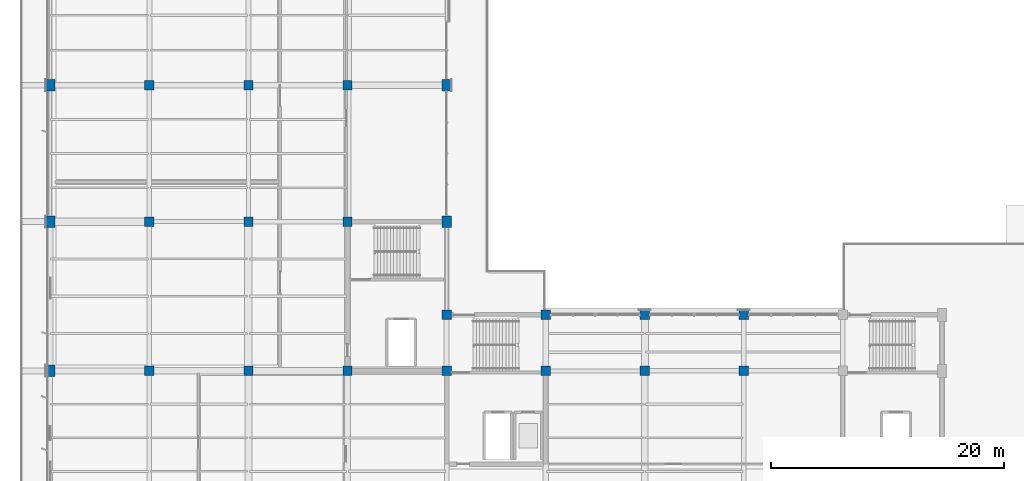
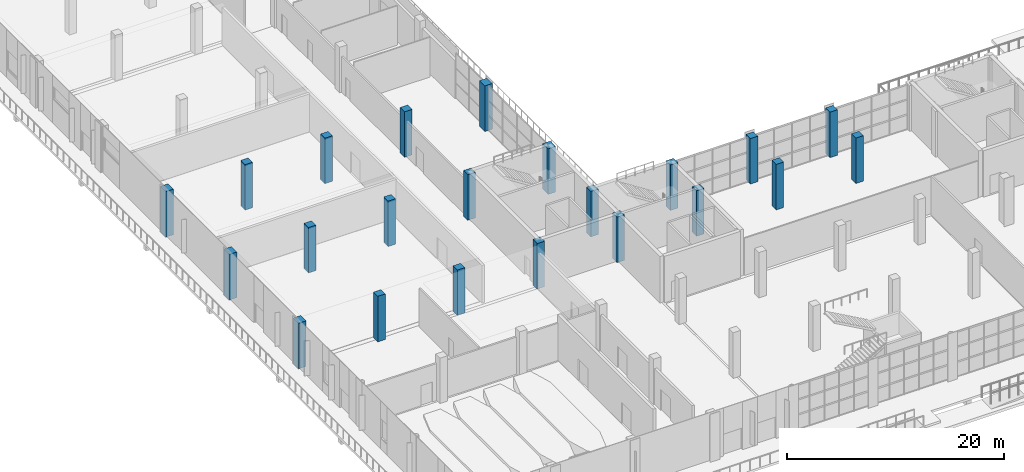
# One storey, part 3 of 90: 22 columns.
"""IFC4 building model written with IfcOpenShell, lengths in metres."""

import ifcopenshell
import ifcopenshell.guid

model = None  # the IFC model being written
_history = None  # IfcOwnerHistory: only IFC2X3 demands one
_inside = {}  # id of a spatial element -> (the spatial element, [elements in it])
_under = {}  # id of a project, library or spatial element -> (it, [spatial elements below it])
_declared = {}  # id of a project -> (the project, [libraries it declares])
_typed = {}  # id of a type object -> (the type object, [elements of that type])
_made_of = {}  # id of a material, layer set ... -> (it, [elements and type objects made of it])


def new_model(schema):
    """Start an empty IFC model of exactly this schema.

    Asked for "IFC4X3", IfcOpenShell would pick the latest addendum, in which some entities
    have other attributes; the version numbers below select the first issue.
    IFC2X3 requires an IfcOwnerHistory on every rooted entity: one is made here for all.
    """
    global model, _history
    if schema == "IFC4X3":
        model = ifcopenshell.file(schema_version=(4, 3, 0, 0))
    else:
        model = ifcopenshell.file(schema=schema)
    _inside.clear()
    _under.clear()
    _declared.clear()
    _typed.clear()
    _made_of.clear()
    _history = None
    if model.schema == "IFC2X3":
        org = make("IfcOrganization", Name="unknown")
        user = make(
            "IfcPersonAndOrganization",
            ThePerson=make("IfcPerson", FamilyName="unknown"),
            TheOrganization=org,
        )
        app = make(
            "IfcApplication",
            ApplicationDeveloper=org,
            Version="unknown",
            ApplicationFullName="unknown",
            ApplicationIdentifier="unknown",
        )
        _history = make(
            "IfcOwnerHistory",
            OwningUser=user,
            OwningApplication=app,
            ChangeAction="ADDED",
            CreationDate=0,
        )
    return model


def make(cls, **values):
    """One entity of the class cls with the attributes given. An attribute that is None is left unset."""
    return model.create_entity(
        cls, **{name: value for name, value in values.items() if value is not None}
    )


def rooted(cls, **values):
    """An entity with a GlobalId (a new one), such as an element, a storey or a relation."""
    return make(cls, GlobalId=ifcopenshell.guid.new(), OwnerHistory=_history, **values)


def si_unit(unit_type, name, prefix=None):
    """IfcSIUnit, for example si_unit("LENGTHUNIT", "METRE", prefix="MILLI")."""
    return make("IfcSIUnit", UnitType=unit_type, Prefix=prefix, Name=name)


def assignment(units):
    """IfcUnitAssignment: the units of a project."""
    return None if units is None else make("IfcUnitAssignment", Units=units)


def point(xyz):
    """IfcCartesianPoint."""
    return None if xyz is None else make("IfcCartesianPoint", Coordinates=xyz)


def direction(xyz):
    """IfcDirection."""
    return None if xyz is None else make("IfcDirection", DirectionRatios=xyz)


def frame(location, z_axis=None, x_axis=None):
    """IfcAxis2Placement3D, a coordinate frame: its origin and axes. An axis left out is left unset."""
    return make(
        "IfcAxis2Placement3D",
        Location=point(location),
        Axis=direction(z_axis),
        RefDirection=direction(x_axis),
    )


def frame_2d(location, x_axis=None):
    """IfcAxis2Placement2D, a coordinate frame in the plane: its origin and x axis."""
    return make(
        "IfcAxis2Placement2D", Location=point(location), RefDirection=direction(x_axis)
    )


def origin():
    """The frame at (0, 0, 0) with its axes left unset."""
    return frame((0.0, 0.0, 0.0))


def origin_2d():
    """The frame at (0, 0) in the plane with its x axis left unset."""
    return frame_2d((0.0, 0.0))


def place(relative_to, where):
    """IfcLocalPlacement: puts the frame where relative to a parent placement (None: the world)."""
    return make(
        "IfcLocalPlacement", PlacementRelTo=relative_to, RelativePlacement=where
    )


def context(
    kind, dimensions, precision=None, world=None, true_north=None, identifier=None
):
    """IfcGeometricRepresentationContext, for example the 3D "Model" context."""
    return make(
        "IfcGeometricRepresentationContext",
        ContextIdentifier=identifier,
        ContextType=kind,
        CoordinateSpaceDimension=dimensions,
        Precision=precision,
        WorldCoordinateSystem=world,
        TrueNorth=true_north,
    )


def subcontext(parent, identifier, kind, view, scale=None):
    """IfcGeometricRepresentationSubContext, for example "Body" below "Model"."""
    return make(
        "IfcGeometricRepresentationSubContext",
        ContextIdentifier=identifier,
        ContextType=kind,
        ParentContext=parent,
        TargetScale=scale,
        TargetView=view,
    )


def project(units=None, contexts=None):
    """IfcProject with its units and contexts."""
    return rooted(
        "IfcProject",
        Name="project",
        RepresentationContexts=contexts,
        UnitsInContext=assignment(units),
    )


def spatial(cls, under=None, at=None, **own):
    """A site, building, storey or space (cls), placed at a placement, below another one or the project."""
    s = rooted(cls, ObjectPlacement=at, **own)
    if under is not None:
        _under.setdefault(under.id(), (under, []))[1].append(s)
    return s


def profile(cls, at=None, kind="AREA", **sizes):
    """A parametric profile (cls). Its sizes go by their IFC names, for example OverallWidth=200.0."""
    return make(cls, ProfileType=kind, Position=at, **sizes)


def rectangle(**sizes):
    """IfcRectangleProfileDef."""
    return profile("IfcRectangleProfileDef", **sizes)


def extrude(swept, where, along, depth):
    """IfcExtrudedAreaSolid: the profile swept, set in the frame where, extruded along a direction by depth."""
    return make(
        "IfcExtrudedAreaSolid",
        SweptArea=swept,
        Position=where,
        ExtrudedDirection=direction(along),
        Depth=depth,
    )


def shape(context_of_items, identifier, shape_type, items):
    """IfcShapeRepresentation: the items that make up one representation, for example the "Body"."""
    return make(
        "IfcShapeRepresentation",
        ContextOfItems=context_of_items,
        RepresentationIdentifier=identifier,
        RepresentationType=shape_type,
        Items=items,
    )


def material(Name=None, Category=None):
    """IfcMaterial."""
    return make("IfcMaterial", Name=Name, Category=Category)


def material_profile(
    of_material, cross_section, Name=None, Category=None, Priority=None
):
    """IfcMaterialProfile: a cross section and its material."""
    return make(
        "IfcMaterialProfile",
        Name=Name,
        Material=of_material,
        Profile=cross_section,
        Priority=Priority,
        Category=Category,
    )


def profile_set(profiles, Name=None, composite=None):
    """IfcMaterialProfileSet."""
    return make(
        "IfcMaterialProfileSet",
        Name=Name,
        MaterialProfiles=profiles,
        CompositeProfile=composite,
    )


def made_of(thing, what):
    """Note that an element or type object is made of a material, layer set ...; save() writes the relation."""
    if what is not None:
        _made_of.setdefault(what.id(), (what, []))[1].append(thing)
    return thing


def type_object(cls, material=None, **own):
    """A type object (cls), such as IfcWallType, which elements share."""
    return made_of(rooted(cls, **own), material)


def element(
    cls,
    number,
    at=None,
    inside=None,
    cuts=None,
    type_object=None,
    material=None,
    context=None,
    identifier="Body",
    shape_type=None,
    held_by="IfcProductDefinitionShape",
    body=None,
    shapes=None,
    **own,
):
    """One element of the class cls, such as IfcWall. Its Tag is "e" and its number.

    at: its placement. inside: the storey or other place that contains it. cuts: it is an
    opening in that element (IfcRelVoidsElement). A single representation is given by context,
    identifier, shape_type and body (its items); several are given by shapes. held_by: the class
    of the entity that holds the representations. save() writes the other relations.
    """
    e = rooted(cls, Tag="e%d" % number, ObjectPlacement=at, **own)
    if body is not None:
        shapes = [shape(context, identifier, shape_type, body)]
    if shapes is not None:
        e.Representation = make(held_by, Representations=shapes)
    if inside is not None:
        _inside.setdefault(inside.id(), (inside, []))[1].append(e)
    if cuts is not None:
        rooted(
            "IfcRelVoidsElement", RelatingBuildingElement=cuts, RelatedOpeningElement=e
        )
    if type_object is not None:
        _typed.setdefault(type_object.id(), (type_object, []))[1].append(e)
    return made_of(e, material)


def aggregate(whole, parts):
    """IfcRelAggregates: a whole, such as a stair, and the parts it consists of."""
    return rooted("IfcRelAggregates", RelatingObject=whole, RelatedObjects=parts)


def save(model, path):
    """Write the relations noted so far, then the file.

    IfcRelAggregates (storeys below a building ...), IfcRelContainedInSpatialStructure (elements
    in a storey), IfcRelDefinesByType, IfcRelAssociatesMaterial and IfcRelDeclares: one each for
    every whole, place, type object, material and project.
    """
    for whole, parts in _under.values():
        aggregate(whole, parts)
    for where, things in _inside.values():
        rooted(
            "IfcRelContainedInSpatialStructure",
            RelatedElements=things,
            RelatingStructure=where,
        )
    for kind, things in _typed.values():
        rooted("IfcRelDefinesByType", RelatedObjects=things, RelatingType=kind)
    for what, things in _made_of.values():
        rooted("IfcRelAssociatesMaterial", RelatedObjects=things, RelatingMaterial=what)
    for by, libraries in _declared.values():
        rooted("IfcRelDeclares", RelatingContext=by, RelatedDefinitions=libraries)
    model.write(path)


model = new_model("IFC4")

# Units and contexts
model_context = context("Model", 3, precision=1e-05, world=origin(), true_north=direction((0.0, 1.0)))
body_context = subcontext(model_context, "Body", "Model", "MODEL_VIEW")
ifc_project = project(units=[si_unit("LENGTHUNIT", "METRE"), si_unit("AREAUNIT", "SQUARE_METRE"), si_unit("VOLUMEUNIT", "CUBIC_METRE"), si_unit("PLANEANGLEUNIT", "RADIAN"), si_unit("MASSUNIT", "GRAM", prefix="KILO")], contexts=[model_context])

# Site, building, storey
site_placement = place(None, origin())
site = spatial("IfcSite", under=ifc_project, at=site_placement, CompositionType="ELEMENT")
building_placement = place(site_placement, origin())
building = spatial("IfcBuilding", under=site, at=building_placement, Name="Solvikara Media Centre", CompositionType="ELEMENT")
storey_placement = place(building_placement, origin())
storey = spatial("IfcBuildingStorey", under=building, at=storey_placement, Name="L00", CompositionType="ELEMENT", Elevation=0.0)

# Columns
ifc_material = material(Name="Concrete fc' 45 MPa (C45/55)", Category="concrete")
ifc_material_profile_1 = material_profile(ifc_material, rectangle(XDim=0.800048828125, YDim=0.800048828125, at=origin_2d()), Name="RC 800x800")
ifc_profile_set_1 = profile_set([ifc_material_profile_1], Name="Concrete fc' 45 MPa (C45/55)")
column_type_1 = type_object("IfcColumnType", Name="CL-05", PredefinedType="COLUMN", material=ifc_profile_set_1)
for number, where, z_axis, x_axis, name in (
    (1, (8.5, 32.0, 0.0), (0.0, 0.0, 1.0), (1.0, 0.0, 0.0), "C-L00-0085-0320"),
    (2, (8.5, 44.800048828125, 0.0), (0.0, 0.0, 1.0), (1.0, 0.0, 0.0), "C-L00-0085-0448"),
    (3, (8.5, 56.5, 0.0), (0.0, 0.0, 1.0), (1.0, 0.0, 0.0), "C-L00-0085-0565"),
    (4, (17.0, 32.0, 0.0), (0.0, 0.0, 1.0), (1.0, 0.0, 0.0), "C-L00-0170-0320"),
    (5, (17.0, 44.800048828125, 0.0), (0.0, 0.0, 1.0), (1.0, 0.0, 0.0), "C-L00-0170-0448"),
    (6, (17.0, 56.5, 0.0), (0.0, 0.0, 1.0), (1.0, 0.0, 0.0), "C-L00-0170-0565"),
    (7, (25.5, 32.0, 0.0), (0.0, 0.0, 1.0), (1.0, 0.0, 0.0), "C-L00-0255-0320"),
    (8, (25.5, 44.800048828125, 0.0), (0.0, 0.0, 1.0), (1.0, 0.0, 0.0), "C-L00-0255-0448"),
    (9, (25.5, 56.5, 0.0), (0.0, 0.0, 1.0), (1.0, 0.0, 0.0), "C-L00-0255-0565"),
    (10, (34.0, 32.0, 0.0), (0.0, 0.0, 1.0), (1.0, 0.0, 0.0), "C-L00-0340-0320"),
    (11, (34.0, 36.800048828125, 0.0), (0.0, 0.0, 1.0), (1.0, 0.0, 0.0), "C-L00-0340-0368"),
    (12, (42.5, 32.0, 0.0), (0.0, 0.0, 1.0), (1.0, 0.0, 0.0), "C-L00-0425-0320"),
    (13, (42.5, 36.800048828125, 0.0), (0.0, 0.0, 1.0), (1.0, 0.0, 0.0), "C-L00-0425-0368"),
    (14, (51.0, 32.0, 0.0), (0.0, 0.0, 1.0), (1.0, 0.0, 0.0), "C-L00-0510-0320"),
    (15, (51.0, 36.800048828125, 0.0), (0.0, 0.0, 1.0), (1.0, 0.0, 0.0), "C-L00-0510-0368"),
    (16, (59.5, 32.0, 0.0), (0.0, 0.0, 1.0), (1.0, 0.0, 0.0), "C-L00-0595-0320"),
    (17, (59.5, 36.800048828125, 0.0), (0.0, 0.0, 1.0), (1.0, 0.0, 0.0), "C-L00-0595-0368"),
):
    element("IfcColumn", number, at=place(storey_placement, frame(where, z_axis=z_axis, x_axis=x_axis)), inside=storey, type_object=column_type_1, Name=name, PredefinedType="COLUMN", context=body_context, shape_type="SweptSolid", body=[
        extrude(rectangle(XDim=0.800048828125, YDim=0.800048828125, at=origin_2d()), origin(), (0.0, 0.0, 1.0), 5.139892578125),
    ])
ifc_material_profile_2 = material_profile(ifc_material, rectangle(XDim=0.800048828125, YDim=1.0, at=origin_2d()), Name="RC 800x1000")
ifc_profile_set_2 = profile_set([ifc_material_profile_2], Name="Concrete fc' 45 MPa (C45/55)")
column_type_2 = type_object("IfcColumnType", Name="CL-16", PredefinedType="COLUMN", material=ifc_profile_set_2)
for number, where, z_axis, x_axis, name in (
    (18, (0.0, 32.0, 0.0), (0.0, 0.0, 1.0), (1.0, 0.0, 0.0), "C-L00-0000-0320"),
    (19, (0.0, 44.800048828125, 0.0), (0.0, 0.0, 1.0), (1.0, 0.0, 0.0), "C-L00-0000-0448"),
    (20, (0.0, 56.5, 0.0), (0.0, 0.0, 1.0), (1.0, 0.0, 0.0), "C-L00-0000-0565"),
    (21, (34.0, 44.800048828125, 0.0), (0.0, 0.0, 1.0), (1.0, 0.0, 0.0), "C-L00-0340-0448"),
    (22, (34.0, 56.5, 0.0), (0.0, 0.0, 1.0), (1.0, 0.0, 0.0), "C-L00-0340-0565"),
):
    element("IfcColumn", number, at=place(storey_placement, frame(where, z_axis=z_axis, x_axis=x_axis)), inside=storey, type_object=column_type_2, Name=name, PredefinedType="COLUMN", context=body_context, shape_type="SweptSolid", body=[
        extrude(rectangle(XDim=0.800048828125, YDim=1.0, at=origin_2d()), origin(), (0.0, 0.0, 1.0), 5.139892578125),
    ])

save(model, "model.ifc")
